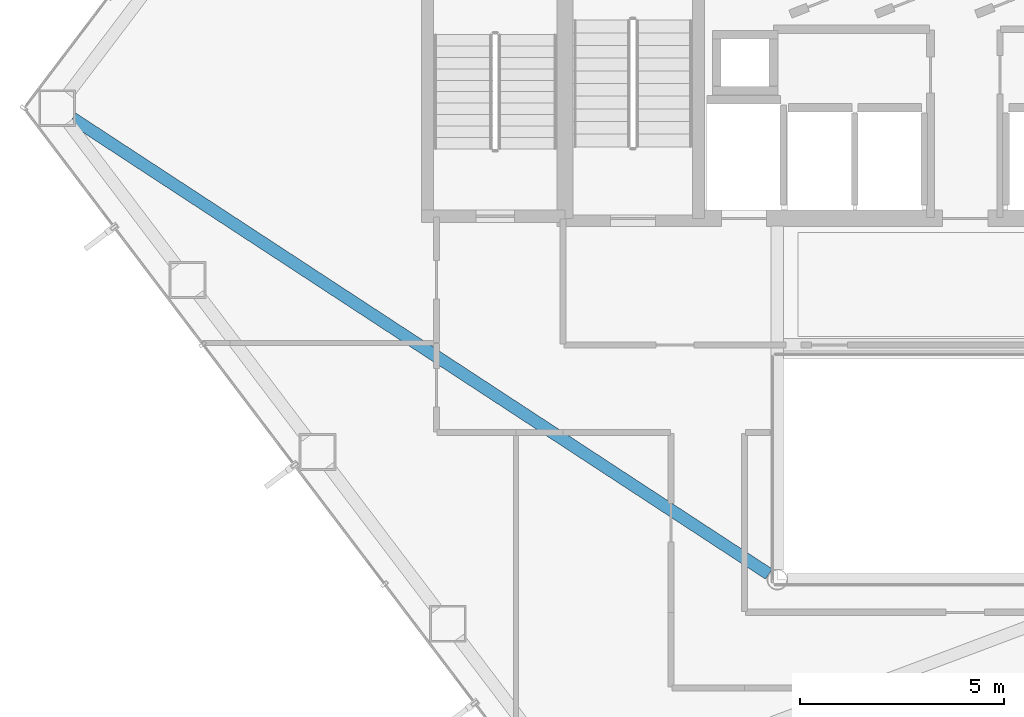
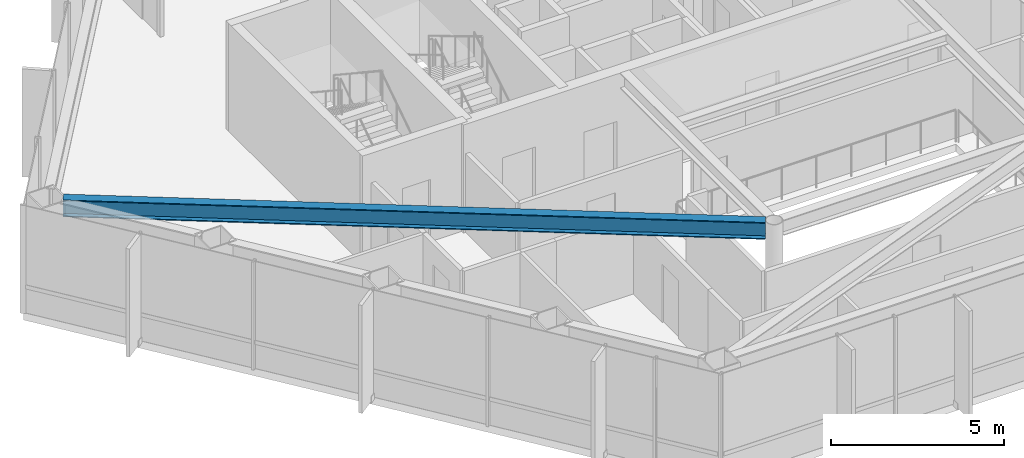
# One storey, part 5 of 25: 1 beam.
"""IFC4 building model written with IfcOpenShell, lengths in metres."""

from ifc_helpers import new_model, si_unit, direction, frame, origin, origin_2d, place, context, subcontext, project, spatial, i_section, extrude, material, material_profile, profile_set, type_object, element, save


model = new_model("IFC4")

# Units and contexts
model_context = context("Model", 3, precision=1e-05, world=origin(), true_north=direction((0.0, 1.0)))
body_context = subcontext(model_context, "Body", "Model", "MODEL_VIEW")
ifc_project = project(units=[si_unit("LENGTHUNIT", "METRE"), si_unit("AREAUNIT", "SQUARE_METRE"), si_unit("VOLUMEUNIT", "CUBIC_METRE"), si_unit("PLANEANGLEUNIT", "RADIAN"), si_unit("MASSUNIT", "GRAM", prefix="KILO")], contexts=[model_context])

# Site, building, storey
site_placement = place(None, origin())
site = spatial("IfcSite", under=ifc_project, at=site_placement, CompositionType="ELEMENT")
building_placement = place(site_placement, origin())
building = spatial("IfcBuilding", under=site, at=building_placement, Name="Zarrinselat Tower", CompositionType="ELEMENT")
storey_placement = place(building_placement, frame((0.0, 0.0, 84.659912109375)))
storey = spatial("IfcBuildingStorey", under=building, at=storey_placement, Name="L20", CompositionType="ELEMENT", Elevation=84.659912109375)

# Beam
ifc_material = material(Name="Steel S355J2", Category="steel")
ifc_material_profile = material_profile(ifc_material, i_section(OverallWidth=0.300048828125, OverallDepth=0.60009765625, WebThickness=0.015380859375, FlangeThickness=0.030029296875, at=origin_2d()), Name="HEB 600")
ifc_profile_set = profile_set([ifc_material_profile], Name="Steel S355J2")
beam_type = type_object("IfcBeamType", Name="BM-HEB600", PredefinedType="BEAM", material=ifc_profile_set)
beam_placement = place(storey_placement, frame((16.54150390625, 35.697998046875, 3.52001953125), z_axis=(0.83666598037, -0.547713462763, 0.0), x_axis=(0.547713462763, 0.83666598037, 0.0)))
element("IfcBeam", 1, at=beam_placement, inside=storey, type_object=beam_type, Name="L20 Radial Primary Girder RG06", PredefinedType="BEAM", context=body_context, shape_type="SweptSolid", body=[
    extrude(i_section(OverallWidth=0.300048828125, OverallDepth=0.60009765625, WebThickness=0.015380859375, FlangeThickness=0.030029296875, at=origin_2d()), origin(), (0.0, 0.0, 1.0), 20.377685546875),
])

save(model, "model.ifc")
